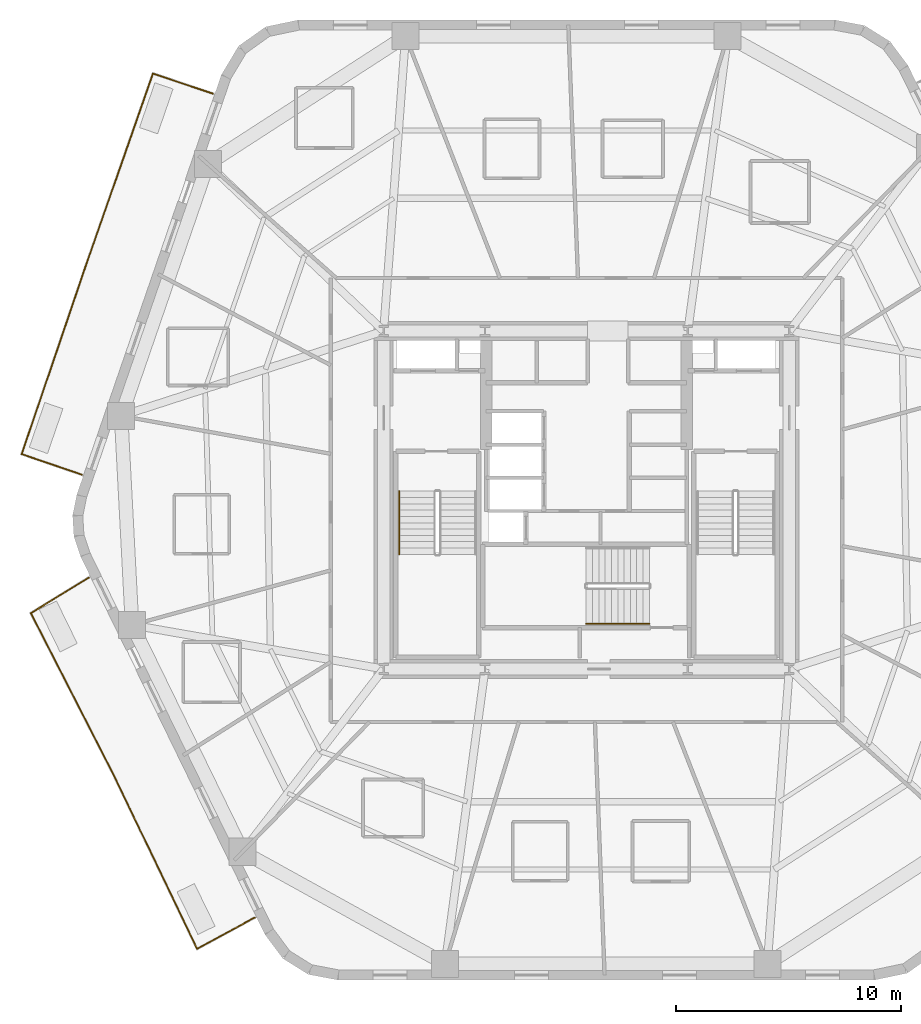
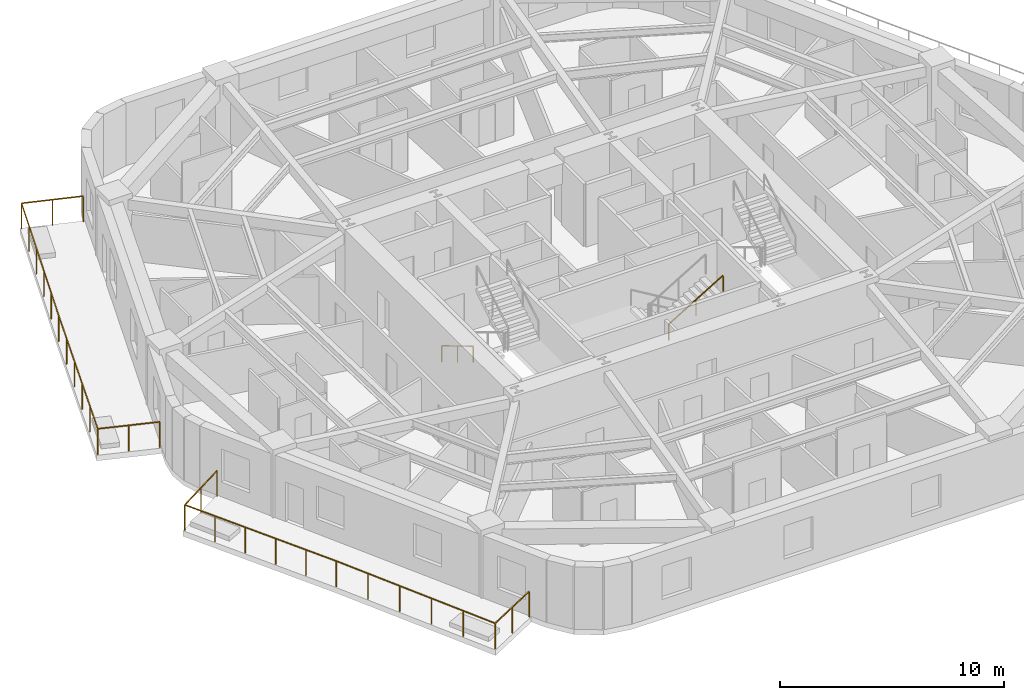
# One storey, part 8 of 10: 4 railings.
"""IFC4 building model written with IfcOpenShell, lengths in metres."""

from ifc_helpers import new_model, si_unit, direction, frame, origin, origin_2d, place, context, subcontext, project, spatial, rectangle, extrude, material, layer, layer_set, type_object, element, save


model = new_model("IFC4")

# Units and contexts
model_context = context("Model", 3, precision=1e-05, world=origin(), true_north=direction((0.0, 1.0)))
body_context = subcontext(model_context, "Body", "Model", "MODEL_VIEW")
ifc_project = project(units=[si_unit("LENGTHUNIT", "METRE"), si_unit("AREAUNIT", "SQUARE_METRE"), si_unit("VOLUMEUNIT", "CUBIC_METRE"), si_unit("PLANEANGLEUNIT", "RADIAN"), si_unit("MASSUNIT", "GRAM", prefix="KILO")], contexts=[model_context])

# Site, building, storey
site_placement = place(None, origin())
site = spatial("IfcSite", under=ifc_project, at=site_placement, CompositionType="ELEMENT")
building_placement = place(site_placement, origin())
building = spatial("IfcBuilding", under=site, at=building_placement, Name="Kilnhurst Terrace Hotel", CompositionType="ELEMENT")
storey_placement = place(building_placement, frame((0.0, 0.0, 121.0)))
storey = spatial("IfcBuildingStorey", under=building, at=storey_placement, Name="L29", CompositionType="ELEMENT", Elevation=121.0)

# Railings
ifc_material_1 = material(Name="Laminated SentryGlas and Stainless Steel AISI 316L Balustrade", Category="steel")
ifc_layer_1 = layer(ifc_material_1, 0.070068359375, Name="Laminated SentryGlas and Stainless Steel AISI 316L Balustrade")
ifc_layer_set_1 = layer_set([ifc_layer_1], Name="Laminated SentryGlas and Stainless Steel AISI 316L Balustrade")
railing_type_1 = type_object("IfcRailingType", Name="RLG-BAL-1420", PredefinedType="BALUSTRADE", material=ifc_layer_set_1)
railing_1_placement = place(storey_placement, frame((-22.394287109375, 1.123779296875, 0.0)))
element("IfcRailing", 1, at=railing_1_placement, inside=storey, type_object=railing_type_1, Name="L29 Exterior Terrace Guardrail BAL-L2A.1", PredefinedType="BALUSTRADE", context=body_context, shape_type="SweptSolid", body=[
    extrude(rectangle(XDim=0.048095703125, YDim=0.048095703125, at=origin_2d()), frame((0.0, 0.0, 1.39599609375), z_axis=(-0.945999088216, 0.324169284625, 0.0), x_axis=(-0.324169284625, -0.945999088216, 0.0)), (0.0, 0.0, 1.0), 2.818115234375),
    extrude(rectangle(XDim=0.048095703125, YDim=0.048095703125, at=origin_2d()), frame((-2.666015625, 0.91357421875, 1.39599609375), z_axis=(0.322236749626, 0.946659113509, 0.0), x_axis=(-0.946659113509, 0.322236749626, 0.0)), (0.0, 0.0, 1.0), 8.94921875),
    extrude(rectangle(XDim=0.048095703125, YDim=0.048095703125, at=origin_2d()), frame((0.2177734375, 9.385498046875, 1.39599609375), z_axis=(0.329867270016, 0.94402732173, 0.0), x_axis=(-0.94402732173, 0.329867270016, 0.0)), (0.0, 0.0, 1.0), 8.9140625),
    extrude(rectangle(XDim=0.048095703125, YDim=0.048095703125, at=origin_2d()), frame((3.158203125, 17.800537109375, 1.39599609375), z_axis=(0.948125796951, -0.317895380834, 0.0), x_axis=(0.317895380834, 0.948125796951, 0.0)), (0.0, 0.0, 1.0), 2.81005859375),
    extrude(rectangle(XDim=0.0419921875, YDim=0.0419921875, at=origin_2d()), origin(), (0.0, 0.0, 1.0), 1.371826171875),
    extrude(rectangle(XDim=0.0419921875, YDim=0.0419921875, at=origin_2d()), frame((-1.3330078125, 0.456787109375, 0.0)), (0.0, 0.0, 1.0), 1.371826171875),
    extrude(rectangle(XDim=0.0419921875, YDim=0.0419921875, at=origin_2d()), frame((-2.666015625, 0.91357421875, 0.0)), (0.0, 0.0, 1.0), 1.371826171875),
    extrude(rectangle(XDim=0.0419921875, YDim=0.0419921875, at=origin_2d()), frame((-2.08935546875, 2.60791015625, 0.0)), (0.0, 0.0, 1.0), 1.371826171875),
    extrude(rectangle(XDim=0.0419921875, YDim=0.0419921875, at=origin_2d()), frame((-1.512451171875, 4.30224609375, 0.0)), (0.0, 0.0, 1.0), 1.371826171875),
    extrude(rectangle(XDim=0.0419921875, YDim=0.0419921875, at=origin_2d()), frame((-0.935791015625, 5.996826171875, 0.0)), (0.0, 0.0, 1.0), 1.371826171875),
    extrude(rectangle(XDim=0.0419921875, YDim=0.0419921875, at=origin_2d()), frame((-0.35888671875, 7.691162109375, 0.0)), (0.0, 0.0, 1.0), 1.371826171875),
    extrude(rectangle(XDim=0.0419921875, YDim=0.0419921875, at=origin_2d()), frame((0.2177734375, 9.385498046875, 0.0)), (0.0, 0.0, 1.0), 1.371826171875),
    extrude(rectangle(XDim=0.0419921875, YDim=0.0419921875, at=origin_2d()), frame((0.805908203125, 11.068603515625, 0.0)), (0.0, 0.0, 1.0), 1.371826171875),
    extrude(rectangle(XDim=0.0419921875, YDim=0.0419921875, at=origin_2d()), frame((1.39404296875, 12.75146484375, 0.0)), (0.0, 0.0, 1.0), 1.371826171875),
    extrude(rectangle(XDim=0.0419921875, YDim=0.0419921875, at=origin_2d()), frame((1.98193359375, 14.4345703125, 0.0)), (0.0, 0.0, 1.0), 1.371826171875),
    extrude(rectangle(XDim=0.0419921875, YDim=0.0419921875, at=origin_2d()), frame((2.570068359375, 16.117431640625, 0.0)), (0.0, 0.0, 1.0), 1.371826171875),
    extrude(rectangle(XDim=0.0419921875, YDim=0.0419921875, at=origin_2d()), frame((3.158203125, 17.800537109375, 0.0)), (0.0, 0.0, 1.0), 1.371826171875),
    extrude(rectangle(XDim=0.0419921875, YDim=0.0419921875, at=origin_2d()), frame((4.490234375, 17.35400390625, 0.0)), (0.0, 0.0, 1.0), 1.371826171875),
    extrude(rectangle(XDim=0.0419921875, YDim=0.0419921875, at=origin_2d()), frame((5.822509765625, 16.9072265625, 0.0)), (0.0, 0.0, 1.0), 1.371826171875),
])
railing_2_placement = place(storey_placement, frame((-14.722900390625, -18.529541015625, 0.0)))
element("IfcRailing", 2, at=railing_2_placement, inside=storey, type_object=railing_type_1, Name="L29 Exterior Terrace Guardrail BAL-L2B.1", PredefinedType="BALUSTRADE", context=body_context, shape_type="SweptSolid", body=[
    extrude(rectangle(XDim=0.048095703125, YDim=0.048095703125, at=origin_2d()), frame((0.0, 0.0, 1.39599609375), z_axis=(-0.878553207741, -0.477644492451, 0.0), x_axis=(0.477644492451, -0.878553207741, 0.0)), (0.0, 0.0, 1.0), 2.90478515625),
    extrude(rectangle(XDim=0.048095703125, YDim=0.048095703125, at=origin_2d()), frame((-2.552001953125, -1.387451171875, 1.39599609375), z_axis=(-0.43291229924, 0.901436043858, 0.0), x_axis=(-0.901436043858, -0.43291229924, 0.0)), (0.0, 0.0, 1.0), 8.583251953125),
    extrude(rectangle(XDim=0.048095703125, YDim=0.048095703125, at=origin_2d()), frame((-6.267822265625, 6.349853515625, 1.39599609375), z_axis=(-0.514495755428, 0.857492925713, 0.0), x_axis=(-0.857492925713, -0.514495755428, 0.0)), (0.0, 0.0, 1.0), 0.00146484375),
    extrude(rectangle(XDim=0.048095703125, YDim=0.048095703125, at=origin_2d()), frame((-6.2685546875, 6.35107421875, 1.39599609375), z_axis=(-0.455744437697, 0.890110671494, 0.0), x_axis=(-0.890110671494, -0.455744437697, 0.0)), (0.0, 0.0, 1.0), 8.039794921875),
    extrude(rectangle(XDim=0.048095703125, YDim=0.048095703125, at=origin_2d()), frame((-9.9326171875, 13.50732421875, 1.39599609375), z_axis=(0.85191630472, 0.523677963784, 0.0), x_axis=(-0.523677963784, 0.85191630472, 0.0)), (0.0, 0.0, 1.0), 3.0205078125),
    extrude(rectangle(XDim=0.0419921875, YDim=0.0419921875, at=origin_2d()), origin(), (0.0, 0.0, 1.0), 1.371826171875),
    extrude(rectangle(XDim=0.0419921875, YDim=0.0419921875, at=origin_2d()), frame((-1.27587890625, -0.69384765625, 0.0)), (0.0, 0.0, 1.0), 1.371826171875),
    extrude(rectangle(XDim=0.0419921875, YDim=0.0419921875, at=origin_2d()), frame((-2.552001953125, -1.387451171875, 0.0)), (0.0, 0.0, 1.0), 1.371826171875),
    extrude(rectangle(XDim=0.0419921875, YDim=0.0419921875, at=origin_2d()), frame((-3.295166015625, 0.159912109375, 0.0)), (0.0, 0.0, 1.0), 1.371826171875),
    extrude(rectangle(XDim=0.0419921875, YDim=0.0419921875, at=origin_2d()), frame((-4.038330078125, 1.70751953125, 0.0)), (0.0, 0.0, 1.0), 1.371826171875),
    extrude(rectangle(XDim=0.0419921875, YDim=0.0419921875, at=origin_2d()), frame((-4.781494140625, 3.2548828125, 0.0)), (0.0, 0.0, 1.0), 1.371826171875),
    extrude(rectangle(XDim=0.0419921875, YDim=0.0419921875, at=origin_2d()), frame((-5.524658203125, 4.802490234375, 0.0)), (0.0, 0.0, 1.0), 1.371826171875),
    extrude(rectangle(XDim=0.0419921875, YDim=0.0419921875, at=origin_2d()), frame((-6.267822265625, 6.349853515625, 0.0)), (0.0, 0.0, 1.0), 1.371826171875),
    extrude(rectangle(XDim=0.0419921875, YDim=0.0419921875, at=origin_2d()), frame((-6.2685546875, 6.35107421875, 0.0)), (0.0, 0.0, 1.0), 1.371826171875),
    extrude(rectangle(XDim=0.0419921875, YDim=0.0419921875, at=origin_2d()), frame((-7.00146484375, 7.7822265625, 0.0)), (0.0, 0.0, 1.0), 1.371826171875),
    extrude(rectangle(XDim=0.0419921875, YDim=0.0419921875, at=origin_2d()), frame((-7.734130859375, 9.213623046875, 0.0)), (0.0, 0.0, 1.0), 1.371826171875),
    extrude(rectangle(XDim=0.0419921875, YDim=0.0419921875, at=origin_2d()), frame((-8.467041015625, 10.644775390625, 0.0)), (0.0, 0.0, 1.0), 1.371826171875),
    extrude(rectangle(XDim=0.0419921875, YDim=0.0419921875, at=origin_2d()), frame((-9.19970703125, 12.076171875, 0.0)), (0.0, 0.0, 1.0), 1.371826171875),
    extrude(rectangle(XDim=0.0419921875, YDim=0.0419921875, at=origin_2d()), frame((-9.9326171875, 13.50732421875, 0.0)), (0.0, 0.0, 1.0), 1.371826171875),
    extrude(rectangle(XDim=0.0419921875, YDim=0.0419921875, at=origin_2d()), frame((-8.64599609375, 14.29833984375, 0.0)), (0.0, 0.0, 1.0), 1.371826171875),
    extrude(rectangle(XDim=0.0419921875, YDim=0.0419921875, at=origin_2d()), frame((-7.359375, 15.089111328125, 0.0)), (0.0, 0.0, 1.0), 1.371826171875),
])
ifc_material_2 = material(Name="Brushed Stainless Steel AISI 304", Category="steel")
ifc_layer_2 = layer(ifc_material_2, 0.048095703125, Name="Brushed Stainless Steel AISI 304")
ifc_layer_set_2 = layer_set([ifc_layer_2], Name="Brushed Stainless Steel AISI 304")
railing_type_2 = type_object("IfcRailingType", Name="RLG-ST-HRL-900", PredefinedType="HANDRAIL", material=ifc_layer_set_2)
railing_3_placement = place(storey_placement, frame((-8.300048828125, 0.389892578125, 0.168212890625)))
element("IfcRailing", 3, at=railing_3_placement, inside=storey, type_object=railing_type_2, Name="L29 ST-1 stair handrail 1", PredefinedType="HANDRAIL", context=body_context, shape_type="SweptSolid", body=[
    extrude(rectangle(XDim=0.048095703125, YDim=0.048095703125, at=origin_2d()), frame((0.0, 0.0, 0.8759765625), z_axis=(0.0, -0.857222391501, 0.514946377315), x_axis=(1.0, 0.0, 0.0)), (0.0, 0.0, 1.0), 3.26611328125),
    extrude(rectangle(XDim=0.0419921875, YDim=0.0419921875, at=origin_2d()), origin(), (0.0, 0.0, 1.0), 0.851806640625),
    extrude(rectangle(XDim=0.0419921875, YDim=0.0419921875, at=origin_2d()), frame((0.0, -1.39990234375, 0.8408203125)), (0.0, 0.0, 1.0), 0.851806640625),
    extrude(rectangle(XDim=0.0419921875, YDim=0.0419921875, at=origin_2d()), frame((0.0, -2.7998046875, 1.681884765625)), (0.0, 0.0, 1.0), 0.851806640625),
])
railing_4_placement = place(storey_placement, frame((-0.010009765625, -5.5, 2.01806640625)))
element("IfcRailing", 4, at=railing_4_placement, inside=storey, type_object=railing_type_2, Name="L29 ST-3 stair handrail 2", PredefinedType="HANDRAIL", context=body_context, shape_type="SweptSolid", body=[
    extrude(rectangle(XDim=0.048095703125, YDim=0.048095703125, at=origin_2d()), frame((0.0, 0.0, 0.8759765625), z_axis=(0.857242210791, 0.0, 0.514913383045), x_axis=(0.0, 1.0, 0.0)), (0.0, 0.0, 1.0), 3.266357421875),
    extrude(rectangle(XDim=0.0419921875, YDim=0.0419921875, at=origin_2d()), origin(), (0.0, 0.0, 1.0), 0.851806640625),
    extrude(rectangle(XDim=0.0419921875, YDim=0.0419921875, at=origin_2d()), frame((1.39990234375, 0.0, 0.8408203125)), (0.0, 0.0, 1.0), 0.851806640625),
    extrude(rectangle(XDim=0.0419921875, YDim=0.0419921875, at=origin_2d()), frame((2.800048828125, 0.0, 1.681884765625)), (0.0, 0.0, 1.0), 0.851806640625),
])

save(model, "model.ifc")
